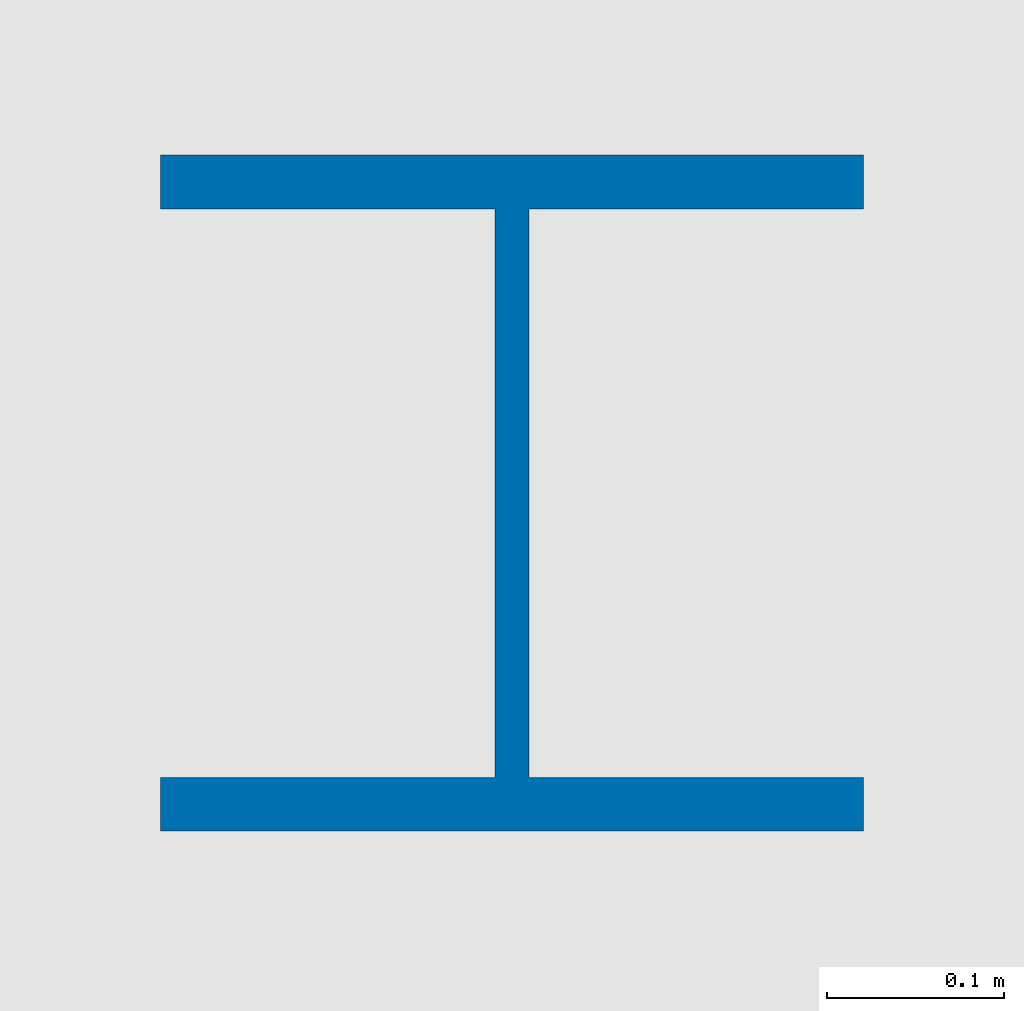
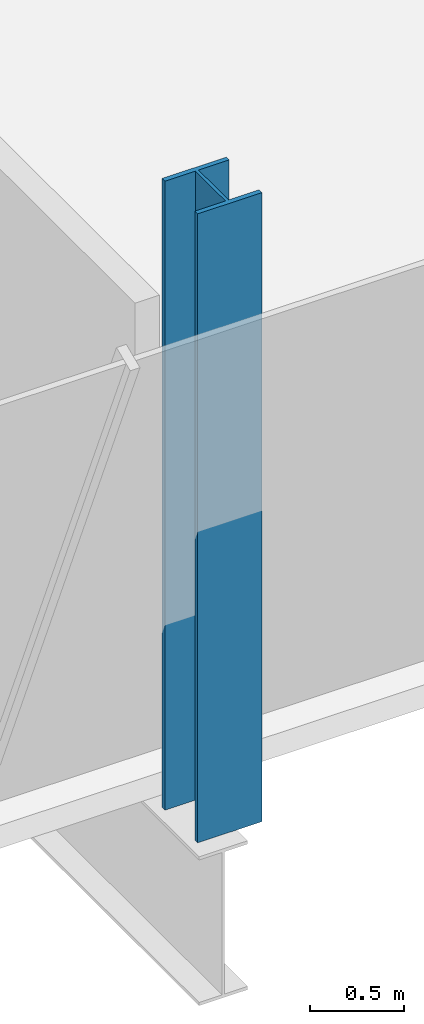
# One storey, part 2 of 33: 1 column.
"""IFC4 building model written with IfcOpenShell, lengths in metres."""

import ifcopenshell
import ifcopenshell.guid

model = None  # the IFC model being written
_history = None  # IfcOwnerHistory: only IFC2X3 demands one
_inside = {}  # id of a spatial element -> (the spatial element, [elements in it])
_under = {}  # id of a project, library or spatial element -> (it, [spatial elements below it])
_declared = {}  # id of a project -> (the project, [libraries it declares])
_typed = {}  # id of a type object -> (the type object, [elements of that type])
_made_of = {}  # id of a material, layer set ... -> (it, [elements and type objects made of it])


def new_model(schema):
    """Start an empty IFC model of exactly this schema.

    Asked for "IFC4X3", IfcOpenShell would pick the latest addendum, in which some entities
    have other attributes; the version numbers below select the first issue.
    IFC2X3 requires an IfcOwnerHistory on every rooted entity: one is made here for all.
    """
    global model, _history
    if schema == "IFC4X3":
        model = ifcopenshell.file(schema_version=(4, 3, 0, 0))
    else:
        model = ifcopenshell.file(schema=schema)
    _inside.clear()
    _under.clear()
    _declared.clear()
    _typed.clear()
    _made_of.clear()
    _history = None
    if model.schema == "IFC2X3":
        org = make("IfcOrganization", Name="unknown")
        user = make(
            "IfcPersonAndOrganization",
            ThePerson=make("IfcPerson", FamilyName="unknown"),
            TheOrganization=org,
        )
        app = make(
            "IfcApplication",
            ApplicationDeveloper=org,
            Version="unknown",
            ApplicationFullName="unknown",
            ApplicationIdentifier="unknown",
        )
        _history = make(
            "IfcOwnerHistory",
            OwningUser=user,
            OwningApplication=app,
            ChangeAction="ADDED",
            CreationDate=0,
        )
    return model


def make(cls, **values):
    """One entity of the class cls with the attributes given. An attribute that is None is left unset."""
    return model.create_entity(
        cls, **{name: value for name, value in values.items() if value is not None}
    )


def rooted(cls, **values):
    """An entity with a GlobalId (a new one), such as an element, a storey or a relation."""
    return make(cls, GlobalId=ifcopenshell.guid.new(), OwnerHistory=_history, **values)


def si_unit(unit_type, name, prefix=None):
    """IfcSIUnit, for example si_unit("LENGTHUNIT", "METRE", prefix="MILLI")."""
    return make("IfcSIUnit", UnitType=unit_type, Prefix=prefix, Name=name)


def assignment(units):
    """IfcUnitAssignment: the units of a project."""
    return None if units is None else make("IfcUnitAssignment", Units=units)


def point(xyz):
    """IfcCartesianPoint."""
    return None if xyz is None else make("IfcCartesianPoint", Coordinates=xyz)


def direction(xyz):
    """IfcDirection."""
    return None if xyz is None else make("IfcDirection", DirectionRatios=xyz)


def frame(location, z_axis=None, x_axis=None):
    """IfcAxis2Placement3D, a coordinate frame: its origin and axes. An axis left out is left unset."""
    return make(
        "IfcAxis2Placement3D",
        Location=point(location),
        Axis=direction(z_axis),
        RefDirection=direction(x_axis),
    )


def frame_2d(location, x_axis=None):
    """IfcAxis2Placement2D, a coordinate frame in the plane: its origin and x axis."""
    return make(
        "IfcAxis2Placement2D", Location=point(location), RefDirection=direction(x_axis)
    )


def origin():
    """The frame at (0, 0, 0) with its axes left unset."""
    return frame((0.0, 0.0, 0.0))


def origin_2d():
    """The frame at (0, 0) in the plane with its x axis left unset."""
    return frame_2d((0.0, 0.0))


def place(relative_to, where):
    """IfcLocalPlacement: puts the frame where relative to a parent placement (None: the world)."""
    return make(
        "IfcLocalPlacement", PlacementRelTo=relative_to, RelativePlacement=where
    )


def context(
    kind, dimensions, precision=None, world=None, true_north=None, identifier=None
):
    """IfcGeometricRepresentationContext, for example the 3D "Model" context."""
    return make(
        "IfcGeometricRepresentationContext",
        ContextIdentifier=identifier,
        ContextType=kind,
        CoordinateSpaceDimension=dimensions,
        Precision=precision,
        WorldCoordinateSystem=world,
        TrueNorth=true_north,
    )


def subcontext(parent, identifier, kind, view, scale=None):
    """IfcGeometricRepresentationSubContext, for example "Body" below "Model"."""
    return make(
        "IfcGeometricRepresentationSubContext",
        ContextIdentifier=identifier,
        ContextType=kind,
        ParentContext=parent,
        TargetScale=scale,
        TargetView=view,
    )


def project(units=None, contexts=None):
    """IfcProject with its units and contexts."""
    return rooted(
        "IfcProject",
        Name="project",
        RepresentationContexts=contexts,
        UnitsInContext=assignment(units),
    )


def spatial(cls, under=None, at=None, **own):
    """A site, building, storey or space (cls), placed at a placement, below another one or the project."""
    s = rooted(cls, ObjectPlacement=at, **own)
    if under is not None:
        _under.setdefault(under.id(), (under, []))[1].append(s)
    return s


def profile(cls, at=None, kind="AREA", **sizes):
    """A parametric profile (cls). Its sizes go by their IFC names, for example OverallWidth=200.0."""
    return make(cls, ProfileType=kind, Position=at, **sizes)


def i_section(**sizes):
    """IfcIShapeProfileDef."""
    return profile("IfcIShapeProfileDef", **sizes)


def extrude(swept, where, along, depth):
    """IfcExtrudedAreaSolid: the profile swept, set in the frame where, extruded along a direction by depth."""
    return make(
        "IfcExtrudedAreaSolid",
        SweptArea=swept,
        Position=where,
        ExtrudedDirection=direction(along),
        Depth=depth,
    )


def shape(context_of_items, identifier, shape_type, items):
    """IfcShapeRepresentation: the items that make up one representation, for example the "Body"."""
    return make(
        "IfcShapeRepresentation",
        ContextOfItems=context_of_items,
        RepresentationIdentifier=identifier,
        RepresentationType=shape_type,
        Items=items,
    )


def material(Name=None, Category=None):
    """IfcMaterial."""
    return make("IfcMaterial", Name=Name, Category=Category)


def material_profile(
    of_material, cross_section, Name=None, Category=None, Priority=None
):
    """IfcMaterialProfile: a cross section and its material."""
    return make(
        "IfcMaterialProfile",
        Name=Name,
        Material=of_material,
        Profile=cross_section,
        Priority=Priority,
        Category=Category,
    )


def profile_set(profiles, Name=None, composite=None):
    """IfcMaterialProfileSet."""
    return make(
        "IfcMaterialProfileSet",
        Name=Name,
        MaterialProfiles=profiles,
        CompositeProfile=composite,
    )


def made_of(thing, what):
    """Note that an element or type object is made of a material, layer set ...; save() writes the relation."""
    if what is not None:
        _made_of.setdefault(what.id(), (what, []))[1].append(thing)
    return thing


def type_object(cls, material=None, **own):
    """A type object (cls), such as IfcWallType, which elements share."""
    return made_of(rooted(cls, **own), material)


def element(
    cls,
    number,
    at=None,
    inside=None,
    cuts=None,
    type_object=None,
    material=None,
    context=None,
    identifier="Body",
    shape_type=None,
    held_by="IfcProductDefinitionShape",
    body=None,
    shapes=None,
    **own,
):
    """One element of the class cls, such as IfcWall. Its Tag is "e" and its number.

    at: its placement. inside: the storey or other place that contains it. cuts: it is an
    opening in that element (IfcRelVoidsElement). A single representation is given by context,
    identifier, shape_type and body (its items); several are given by shapes. held_by: the class
    of the entity that holds the representations. save() writes the other relations.
    """
    e = rooted(cls, Tag="e%d" % number, ObjectPlacement=at, **own)
    if body is not None:
        shapes = [shape(context, identifier, shape_type, body)]
    if shapes is not None:
        e.Representation = make(held_by, Representations=shapes)
    if inside is not None:
        _inside.setdefault(inside.id(), (inside, []))[1].append(e)
    if cuts is not None:
        rooted(
            "IfcRelVoidsElement", RelatingBuildingElement=cuts, RelatedOpeningElement=e
        )
    if type_object is not None:
        _typed.setdefault(type_object.id(), (type_object, []))[1].append(e)
    return made_of(e, material)


def aggregate(whole, parts):
    """IfcRelAggregates: a whole, such as a stair, and the parts it consists of."""
    return rooted("IfcRelAggregates", RelatingObject=whole, RelatedObjects=parts)


def save(model, path):
    """Write the relations noted so far, then the file.

    IfcRelAggregates (storeys below a building ...), IfcRelContainedInSpatialStructure (elements
    in a storey), IfcRelDefinesByType, IfcRelAssociatesMaterial and IfcRelDeclares: one each for
    every whole, place, type object, material and project.
    """
    for whole, parts in _under.values():
        aggregate(whole, parts)
    for where, things in _inside.values():
        rooted(
            "IfcRelContainedInSpatialStructure",
            RelatedElements=things,
            RelatingStructure=where,
        )
    for kind, things in _typed.values():
        rooted("IfcRelDefinesByType", RelatedObjects=things, RelatingType=kind)
    for what, things in _made_of.values():
        rooted("IfcRelAssociatesMaterial", RelatedObjects=things, RelatingMaterial=what)
    for by, libraries in _declared.values():
        rooted("IfcRelDeclares", RelatingContext=by, RelatedDefinitions=libraries)
    model.write(path)


model = new_model("IFC4")

# Units and contexts
model_context = context("Model", 3, precision=1e-05, world=origin(), true_north=direction((0.0, 1.0)))
body_context = subcontext(model_context, "Body", "Model", "MODEL_VIEW")
ifc_project = project(units=[si_unit("LENGTHUNIT", "METRE"), si_unit("AREAUNIT", "SQUARE_METRE"), si_unit("VOLUMEUNIT", "CUBIC_METRE"), si_unit("PLANEANGLEUNIT", "RADIAN"), si_unit("MASSUNIT", "GRAM", prefix="KILO")], contexts=[model_context])

# Site, building, storey
site_placement = place(None, origin())
site = spatial("IfcSite", under=ifc_project, at=site_placement, CompositionType="ELEMENT")
building_placement = place(site_placement, origin())
building = spatial("IfcBuilding", under=site, at=building_placement, Name="Bicima Exchange Tower", CompositionType="ELEMENT")
storey_placement = place(building_placement, frame((0.0, 0.0, 140.39990234375)))
storey = spatial("IfcBuildingStorey", under=building, at=storey_placement, Name="L30", CompositionType="ELEMENT", Elevation=140.39990234375)

# Column
ifc_material = material(Name="Steel ASTM A992 Gr 50", Category="steel")
ifc_material_profile = material_profile(ifc_material, i_section(OverallWidth=0.396240234375, OverallDepth=0.381103515625, WebThickness=0.01904296875, FlangeThickness=0.0302734375, at=origin_2d()))
ifc_profile_set = profile_set([ifc_material_profile], Name="Steel ASTM A992 Gr 50")
column_type = type_object("IfcColumnType", Name="Perimeter column W14x159", PredefinedType="COLUMN", material=ifc_profile_set)
column_placement = place(storey_placement, frame((26.10009765625, -33.6220703125, 0.0), z_axis=(0.0, 0.0, 1.0), x_axis=(1.0, 0.0, 0.0)))
element("IfcColumn", 1, at=column_placement, inside=storey, type_object=column_type, Name="Perimeter column grav+26.1f", PredefinedType="COLUMN", context=body_context, shape_type="SweptSolid", body=[
    extrude(i_section(OverallWidth=0.396240234375, OverallDepth=0.381103515625, WebThickness=0.01904296875, FlangeThickness=0.0302734375, at=origin_2d()), origin(), (0.0, 0.0, 1.0), 4.10009765625),
])

save(model, "model.ifc")
